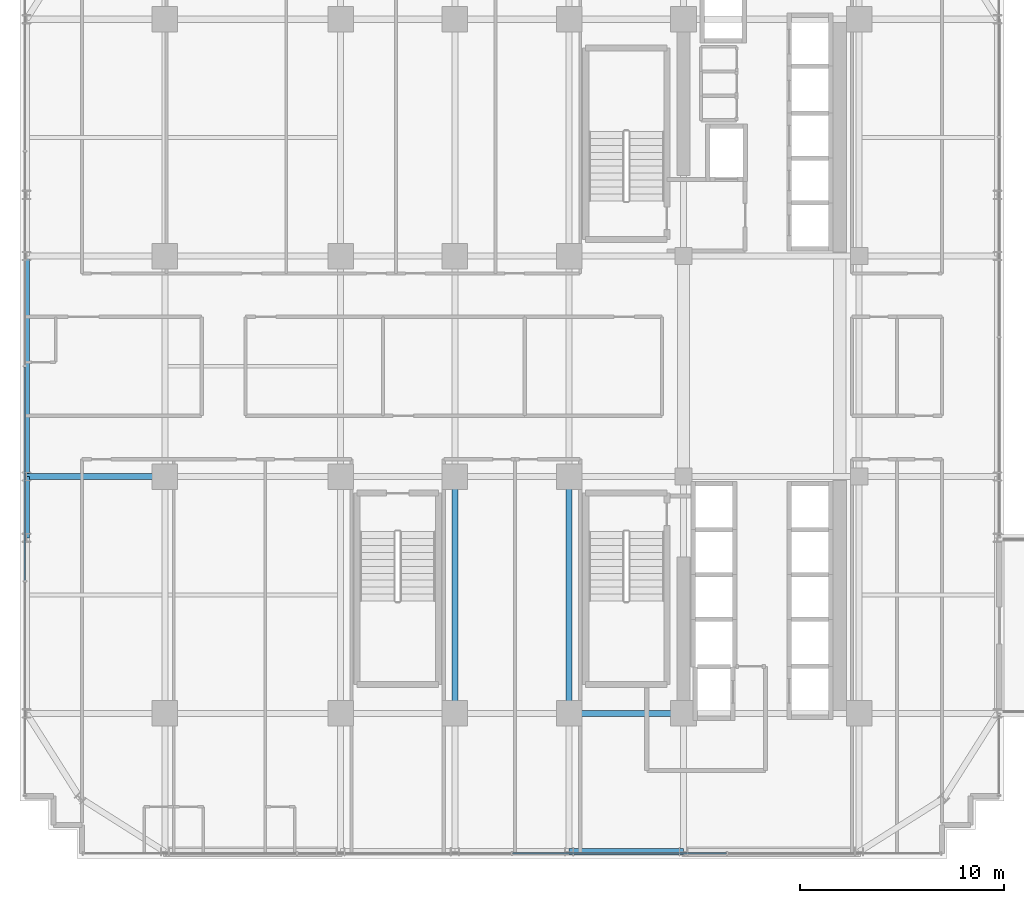
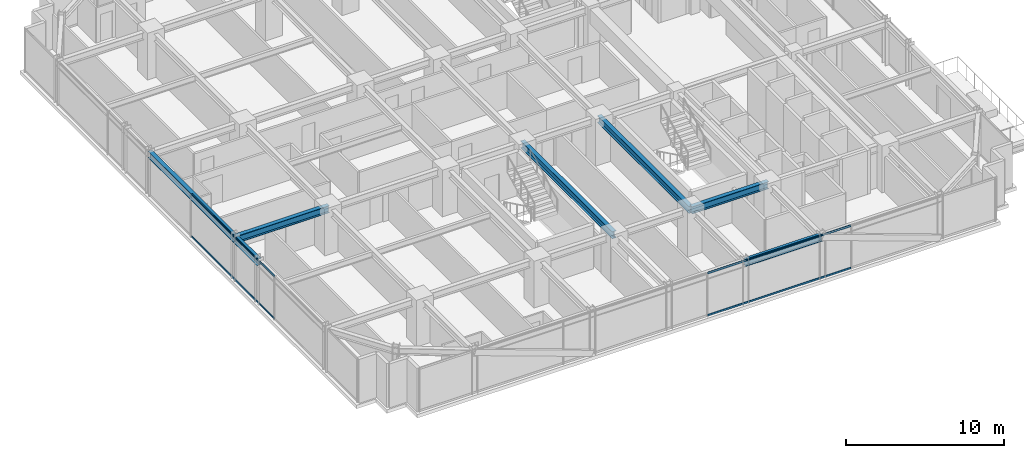
# One storey, part 7 of 34: 7 beams, 4 members, 2 elements without a shape of their own.
"""IFC4 building model written with IfcOpenShell, lengths in metres."""

from ifc_helpers import new_model, si_unit, direction, frame, origin, origin_2d, place, context, subcontext, project, spatial, hollow_rectangle, i_section, extrude, source, transform, mapped, material, material_profile, profile_set, type_object, element, aggregate, save


model = new_model("IFC4")

# Units and contexts
model_context = context("Model", 3, precision=1e-05, world=origin(), true_north=direction((0.0, 1.0)))
body_context = subcontext(model_context, "Body", "Model", "MODEL_VIEW")
ifc_project = project(units=[si_unit("LENGTHUNIT", "METRE"), si_unit("AREAUNIT", "SQUARE_METRE"), si_unit("VOLUMEUNIT", "CUBIC_METRE"), si_unit("PLANEANGLEUNIT", "RADIAN"), si_unit("MASSUNIT", "GRAM", prefix="KILO")], contexts=[model_context])

# Site, building, storey
site_placement = place(None, origin())
site = spatial("IfcSite", under=ifc_project, at=site_placement, CompositionType="ELEMENT")
building_placement = place(site_placement, origin())
building = spatial("IfcBuilding", under=site, at=building_placement, Name="Nahalor Promenade Grand Hotel", CompositionType="ELEMENT")
storey_placement = place(building_placement, frame((0.0, 0.0, 99.25)))
storey = spatial("IfcBuildingStorey", under=building, at=storey_placement, Name="L24", CompositionType="ELEMENT", Elevation=99.25)

# Beams
ifc_material_1 = material(Name="Steel S355JR", Category="steel")
ifc_material_profile_1 = material_profile(ifc_material_1, i_section(OverallWidth=0.3, OverallDepth=0.5, WebThickness=0.0145, FlangeThickness=0.028, at=origin_2d()), Name="HEB 500")
ifc_profile_set_1 = profile_set([ifc_material_profile_1], Name="Steel S355JR")
beam_type_1 = type_object("IfcBeamType", Name="Beam-Spandrel-HEB500", PredefinedType="SPANDREL", material=ifc_profile_set_1)
shared_shape_1 = source(origin(), body_context, "Body", "SweptSolid", [
    extrude(i_section(OverallWidth=0.3, OverallDepth=0.5, WebThickness=0.0145, FlangeThickness=0.028, at=origin_2d()), origin(), (0.0, 0.0, 1.0), 5.599853515625),
])
beam_1_placement = place(storey_placement, frame((2.800048828125, -23.780029296875, 3.1298828125), z_axis=(1.0, 0.0, 0.0), x_axis=(0.0, 1.0, 0.0)))
element("IfcBeam", 1, at=beam_1_placement, inside=storey, type_object=beam_type_1, Name="BM-L24-SP-S-3", PredefinedType="SPANDREL", context=body_context, shape_type="MappedRepresentation", body=[
    mapped(shared_shape_1, transform((0.0, 0.0, 0.0), scale=1.0)),
])
shared_shape_2 = source(origin(), body_context, "Body", "SweptSolid", [
    extrude(i_section(OverallWidth=0.3, OverallDepth=0.5, WebThickness=0.0145, FlangeThickness=0.028, at=origin_2d()), origin(), (0.0, 0.0, 1.0), 3.0),
])
beam_2_placement = place(storey_placement, frame((-23.780029296875, -8.39990234375, 3.1298828125), z_axis=(0.0, 1.0, 0.0), x_axis=(-1.0, 0.0, 0.0)))
element("IfcBeam", 2, at=beam_2_placement, inside=storey, type_object=beam_type_1, Name="BM-L24-SP-W-1", PredefinedType="SPANDREL", context=body_context, shape_type="MappedRepresentation", body=[
    mapped(shared_shape_2, transform((0.0, 0.0, 0.0), scale=1.0)),
])
shared_shape_3 = source(origin(), body_context, "Body", "SweptSolid", [
    extrude(i_section(OverallWidth=0.3, OverallDepth=0.5, WebThickness=0.0145, FlangeThickness=0.028, at=origin_2d()), origin(), (0.0, 0.0, 1.0), 10.7998046875),
])
beam_3_placement = place(storey_placement, frame((-23.780029296875, -5.39990234375, 3.1298828125), z_axis=(0.0, 1.0, 0.0), x_axis=(-1.0, 0.0, 0.0)))
element("IfcBeam", 3, at=beam_3_placement, inside=storey, type_object=beam_type_1, Name="BM-L24-SP-W-2", PredefinedType="SPANDREL", context=body_context, shape_type="MappedRepresentation", body=[
    mapped(shared_shape_3, transform((0.0, 0.0, 0.0), scale=1.0)),
])
ifc_material_profile_2 = material_profile(ifc_material_1, i_section(OverallWidth=0.3, OverallDepth=0.55, WebThickness=0.015, FlangeThickness=0.029, at=origin_2d()), Name="HEB 550")
ifc_profile_set_2 = profile_set([ifc_material_profile_2], Name="Steel S355JR")
beam_type_2 = type_object("IfcBeamType", Name="Beam-Girder-HEB550", PredefinedType="BEAM", material=ifc_profile_set_2)
shared_shape_4 = source(origin(), body_context, "Body", "SweptSolid", [
    extrude(i_section(OverallWidth=0.3, OverallDepth=0.55, WebThickness=0.015, FlangeThickness=0.029, at=origin_2d()), origin(), (0.0, 0.0, 1.0), 6.780029296875),
])
beam_4_placement = place(storey_placement, frame((-23.780029296875, -5.39990234375, 3.10498046875), z_axis=(1.0, 0.0, 0.0), x_axis=(0.0, 1.0, 0.0)))
element("IfcBeam", 4, at=beam_4_placement, inside=storey, type_object=beam_type_2, Name="BM-L24-GX-1-0", PredefinedType="BEAM", context=body_context, shape_type="MappedRepresentation", body=[
    mapped(shared_shape_4, transform((0.0, 0.0, 0.0), scale=1.0)),
])
shared_shape_5 = source(origin(), body_context, "Body", "SweptSolid", [
    extrude(i_section(OverallWidth=0.3, OverallDepth=0.55, WebThickness=0.015, FlangeThickness=0.029, at=origin_2d()), origin(), (0.0, 0.0, 1.0), 5.599853515625),
])
beam_5_placement = place(storey_placement, frame((2.800048828125, -17.0, 3.10498046875), z_axis=(1.0, 0.0, 0.0), x_axis=(0.0, 1.0, 0.0)))
element("IfcBeam", 5, at=beam_5_placement, inside=storey, type_object=beam_type_2, Name="BM-L24-GX-0-4", PredefinedType="BEAM", context=body_context, shape_type="MappedRepresentation", body=[
    mapped(shared_shape_5, transform((0.0, 0.0, 0.0), scale=1.0)),
])
shared_shape_6 = source(origin(), body_context, "Body", "SweptSolid", [
    extrude(i_section(OverallWidth=0.3, OverallDepth=0.55, WebThickness=0.015, FlangeThickness=0.029, at=origin_2d()), origin(), (0.0, 0.0, 1.0), 11.60009765625),
])
for number, where, z_axis, x_axis, name in (
    (6, (-2.800048828125, -17.0, 3.10498046875), (0.0, 1.0, 0.0), (-1.0, 0.0, 0.0), "BM-L24-GY-2-1"),
    (7, (2.800048828125, -17.0, 3.10498046875), (0.0, 1.0, 0.0), (-1.0, 0.0, 0.0), "BM-L24-GY-3-1"),
):
    element("IfcBeam", number, at=place(storey_placement, frame(where, z_axis=z_axis, x_axis=x_axis)), inside=storey, type_object=beam_type_2, Name=name, PredefinedType="BEAM", context=body_context, shape_type="MappedRepresentation", body=[
        mapped(shared_shape_6, transform((0.0, 0.0, 0.0), scale=1.0)),
    ])

# Curtain wall, members
ifc_material_2 = material(Name="Anodised Bronze Aluminium EN AW-6063 T6", Category="aluminium")
curtain_wall_type = type_object("IfcCurtainWallType", Name="CW2 Typical Hotel Flush Bronze Unitised Curtain Wall", PredefinedType="USERDEFINED", material=ifc_material_2)
curtain_wall_1_placement = place(storey_placement, origin())
curtain_wall_1 = element("IfcCurtainWall", 8, at=curtain_wall_1_placement, inside=storey, type_object=curtain_wall_type, Name="L24 Curtain Wall CW-L24-S-1", ObjectType="UNITISED_CURTAIN_WALL", PredefinedType="USERDEFINED")
ifc_material_profile_3 = material_profile(ifc_material_2, hollow_rectangle(XDim=0.065, YDim=0.13, WallThickness=0.004, at=origin_2d()), Name="CWT 65x130x4")
ifc_profile_set_3 = profile_set([ifc_material_profile_3], Name="Anodised Bronze Aluminium EN AW-6063 T6")
member_type = type_object("IfcMemberType", Name="CWT2 Typical Bronze Transom 65x130", PredefinedType="USERDEFINED", material=ifc_profile_set_3)
shared_shape_7 = source(origin(), body_context, "Body", "SweptSolid", [
    extrude(hollow_rectangle(XDim=0.065, YDim=0.13, WallThickness=0.004, at=origin_2d()), origin(), (0.0, 0.0, 1.0), 10.465087890625),
])
member_1_placement = place(storey_placement, frame((0.032470703125, -23.860107421875, 0.06494140625), z_axis=(1.0, 0.0, 0.0), x_axis=(0.0, 1.0, 0.0)))
member_1 = element("IfcMember", 9, at=member_1_placement, type_object=member_type, Name="CW-L24-S-1 Transom 2-0", ObjectType="TRANSOM", PredefinedType="USERDEFINED", context=body_context, shape_type="MappedRepresentation", body=[
    mapped(shared_shape_7, transform((0.0, 0.0, 0.0), scale=1.0)),
])
member_2_placement = place(storey_placement, frame((0.032470703125, -23.860107421875, 3.31494140625), z_axis=(1.0, 0.0, 0.0), x_axis=(0.0, 1.0, 0.0)))
member_2 = element("IfcMember", 10, at=member_2_placement, type_object=member_type, Name="CW-L24-S-1 Transom 2-1", ObjectType="TRANSOM", PredefinedType="USERDEFINED", context=body_context, shape_type="MappedRepresentation", body=[
    mapped(shared_shape_7, transform((0.0, 0.0, 0.0), scale=1.0)),
])
aggregate(curtain_wall_1, [member_1, member_2])

curtain_wall_2_placement = place(storey_placement, origin())
curtain_wall_2 = element("IfcCurtainWall", 11, at=curtain_wall_2_placement, inside=storey, type_object=curtain_wall_type, Name="L24 Curtain Wall CW-L24-W-1", ObjectType="UNITISED_CURTAIN_WALL", PredefinedType="USERDEFINED")
member_3_placement = place(storey_placement, frame((-23.860107421875, -10.49755859375, 0.06494140625), z_axis=(0.0, 1.0, 0.0), x_axis=(-1.0, 0.0, 0.0)))
member_3 = element("IfcMember", 12, at=member_3_placement, type_object=member_type, Name="CW-L24-W-1 Transom 1-0", ObjectType="TRANSOM", PredefinedType="USERDEFINED", context=body_context, shape_type="MappedRepresentation", body=[
    mapped(shared_shape_7, transform((0.0, 0.0, 0.0), scale=1.0)),
])
member_4_placement = place(storey_placement, frame((-23.860107421875, -10.49755859375, 3.31494140625), z_axis=(0.0, 1.0, 0.0), x_axis=(-1.0, 0.0, 0.0)))
member_4 = element("IfcMember", 13, at=member_4_placement, type_object=member_type, Name="CW-L24-W-1 Transom 1-1", ObjectType="TRANSOM", PredefinedType="USERDEFINED", context=body_context, shape_type="MappedRepresentation", body=[
    mapped(shared_shape_7, transform((0.0, 0.0, 0.0), scale=1.0)),
])
aggregate(curtain_wall_2, [member_3, member_4])

save(model, "model.ifc")
